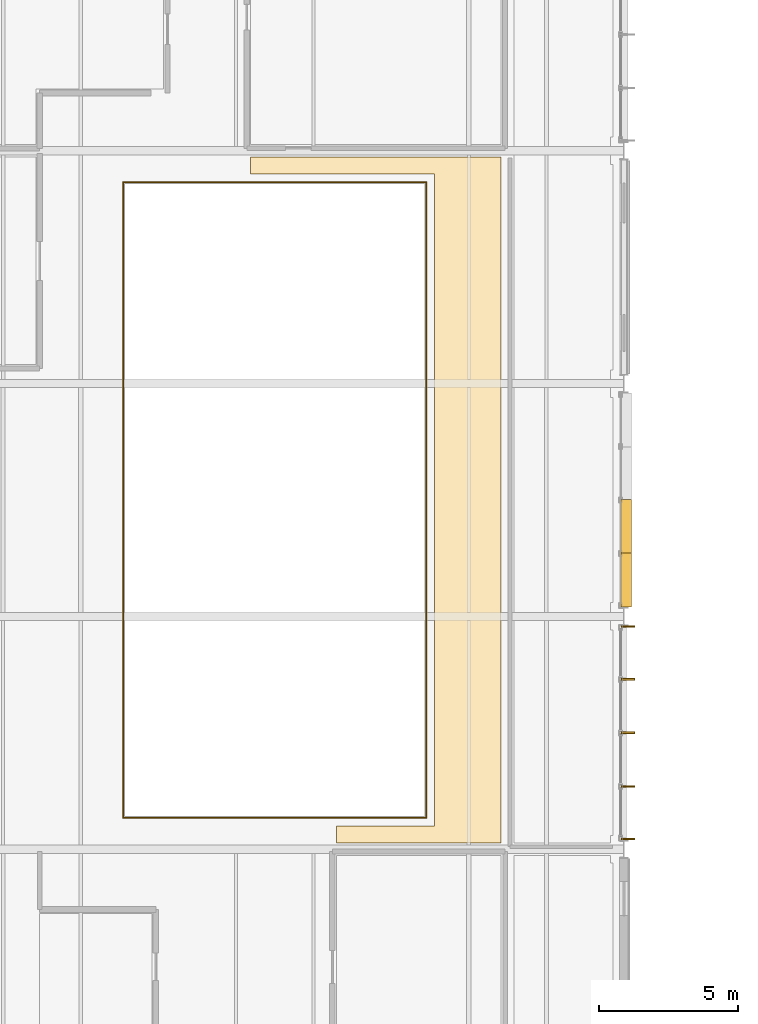
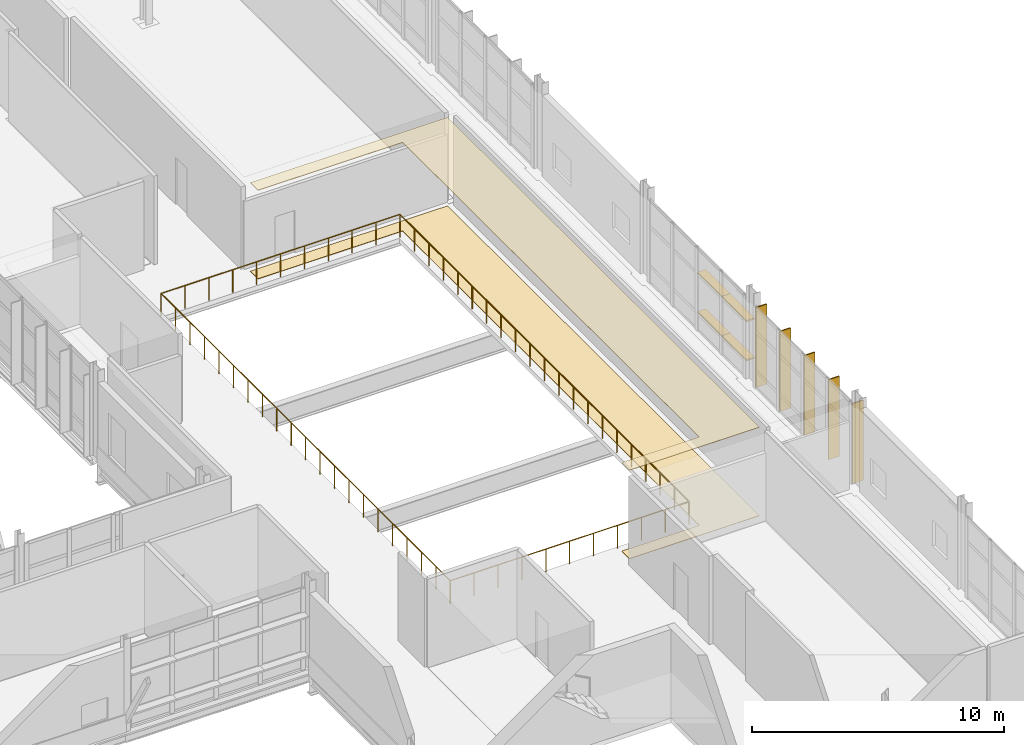
# One storey, part 114 of 129: 9 shading devices, 2 coverings, 1 railing.
"""IFC4 building model written with IfcOpenShell, lengths in metres."""

from ifc_helpers import new_model, si_unit, direction, frame, origin, origin_2d, place, context, subcontext, project, spatial, polyline, rectangle, circle, outline, extrude, material, layer, layer_set, type_object, element, save


model = new_model("IFC4")

# Units and contexts
model_context = context("Model", 3, precision=1e-05, world=origin(), true_north=direction((0.0, 1.0)))
body_context = subcontext(model_context, "Body", "Model", "MODEL_VIEW")
ifc_project = project(units=[si_unit("LENGTHUNIT", "METRE"), si_unit("AREAUNIT", "SQUARE_METRE"), si_unit("VOLUMEUNIT", "CUBIC_METRE"), si_unit("PLANEANGLEUNIT", "RADIAN"), si_unit("MASSUNIT", "GRAM", prefix="KILO")], contexts=[model_context])

# Site, building, storey
site_placement = place(None, origin())
site = spatial("IfcSite", under=ifc_project, at=site_placement, CompositionType="ELEMENT")
building_placement = place(site_placement, origin())
building = spatial("IfcBuilding", under=site, at=building_placement, Name="Mersafa Astral City Hall", CompositionType="ELEMENT")
storey_placement = place(building_placement, frame((0.0, 0.0, 5.39990234375)))
storey = spatial("IfcBuildingStorey", under=building, at=storey_placement, Name="L01", CompositionType="ELEMENT", Elevation=5.39990234375)

# Railing
ifc_material_1 = material(Name="Architectural steel atrium guard balustrade", Category="steel")
railing_type = type_object("IfcRailingType", Name="ENV-RAIL-ATRIUM-1120", PredefinedType="BALUSTRADE", material=ifc_material_1)
railing_placement = place(storey_placement, frame((99.530029296875, 51.530029296875, 0.0)))
element("IfcRailing", 1, at=railing_placement, inside=storey, type_object=railing_type, Name="L01 Multi-storey void guard balustrade VOID-L01-ATRIUM", PredefinedType="BALUSTRADE", context=body_context, shape_type="SweptSolid", body=[
    extrude(circle(Radius=0.02392578125, at=origin_2d()), frame((0.0, 0.0, 1.09619140625), z_axis=(1.0, 0.0, 0.0), x_axis=(0.0, 1.0, 0.0)), (0.0, 0.0, 1.0), 10.93994140625),
    extrude(circle(Radius=0.02392578125, at=origin_2d()), frame((10.93994140625, 0.0, 1.09619140625), z_axis=(0.0, 1.0, 0.0), x_axis=(-1.0, 0.0, 0.0)), (0.0, 0.0, 1.0), 22.93994140625),
    extrude(circle(Radius=0.02392578125, at=origin_2d()), frame((10.93994140625, 22.93994140625, 1.09619140625), z_axis=(-1.0, 0.0, 0.0), x_axis=(0.0, -1.0, 0.0)), (0.0, 0.0, 1.0), 10.93994140625),
    extrude(circle(Radius=0.02392578125, at=origin_2d()), frame((0.0, 22.93994140625, 1.09619140625), z_axis=(0.0, -1.0, 0.0), x_axis=(1.0, 0.0, 0.0)), (0.0, 0.0, 1.0), 22.93994140625),
    extrude(circle(Radius=0.02099609375, at=origin_2d()), origin(), (0.0, 0.0, 1.0), 1.072021484375),
    extrude(circle(Radius=0.02099609375, at=origin_2d()), frame((1.093994140625, 0.0, 0.0)), (0.0, 0.0, 1.0), 1.072021484375),
    extrude(circle(Radius=0.02099609375, at=origin_2d()), frame((2.18798828125, 0.0, 0.0)), (0.0, 0.0, 1.0), 1.072021484375),
    extrude(circle(Radius=0.02099609375, at=origin_2d()), frame((3.281982421875, 0.0, 0.0)), (0.0, 0.0, 1.0), 1.072021484375),
    extrude(circle(Radius=0.02099609375, at=origin_2d()), frame((4.3759765625, 0.0, 0.0)), (0.0, 0.0, 1.0), 1.072021484375),
    extrude(circle(Radius=0.02099609375, at=origin_2d()), frame((5.469970703125, 0.0, 0.0)), (0.0, 0.0, 1.0), 1.072021484375),
    extrude(circle(Radius=0.02099609375, at=origin_2d()), frame((6.56396484375, 0.0, 0.0)), (0.0, 0.0, 1.0), 1.072021484375),
    extrude(circle(Radius=0.02099609375, at=origin_2d()), frame((7.657958984375, 0.0, 0.0)), (0.0, 0.0, 1.0), 1.072021484375),
    extrude(circle(Radius=0.02099609375, at=origin_2d()), frame((8.751953125, 0.0, 0.0)), (0.0, 0.0, 1.0), 1.072021484375),
    extrude(circle(Radius=0.02099609375, at=origin_2d()), frame((9.845947265625, 0.0, 0.0)), (0.0, 0.0, 1.0), 1.072021484375),
    extrude(circle(Radius=0.02099609375, at=origin_2d()), frame((10.93994140625, 0.0, 0.0)), (0.0, 0.0, 1.0), 1.072021484375),
    extrude(circle(Radius=0.02099609375, at=origin_2d()), frame((10.93994140625, 1.14697265625, 0.0)), (0.0, 0.0, 1.0), 1.072021484375),
    extrude(circle(Radius=0.02099609375, at=origin_2d()), frame((10.93994140625, 2.2939453125, 0.0)), (0.0, 0.0, 1.0), 1.072021484375),
    extrude(circle(Radius=0.02099609375, at=origin_2d()), frame((10.93994140625, 3.44091796875, 0.0)), (0.0, 0.0, 1.0), 1.072021484375),
    extrude(circle(Radius=0.02099609375, at=origin_2d()), frame((10.93994140625, 4.587890625, 0.0)), (0.0, 0.0, 1.0), 1.072021484375),
    extrude(circle(Radius=0.02099609375, at=origin_2d()), frame((10.93994140625, 5.73486328125, 0.0)), (0.0, 0.0, 1.0), 1.072021484375),
    extrude(circle(Radius=0.02099609375, at=origin_2d()), frame((10.93994140625, 6.882080078125, 0.0)), (0.0, 0.0, 1.0), 1.072021484375),
    extrude(circle(Radius=0.02099609375, at=origin_2d()), frame((10.93994140625, 8.029052734375, 0.0)), (0.0, 0.0, 1.0), 1.072021484375),
    extrude(circle(Radius=0.02099609375, at=origin_2d()), frame((10.93994140625, 9.176025390625, 0.0)), (0.0, 0.0, 1.0), 1.072021484375),
    extrude(circle(Radius=0.02099609375, at=origin_2d()), frame((10.93994140625, 10.322998046875, 0.0)), (0.0, 0.0, 1.0), 1.072021484375),
    extrude(circle(Radius=0.02099609375, at=origin_2d()), frame((10.93994140625, 11.469970703125, 0.0)), (0.0, 0.0, 1.0), 1.072021484375),
    extrude(circle(Radius=0.02099609375, at=origin_2d()), frame((10.93994140625, 12.616943359375, 0.0)), (0.0, 0.0, 1.0), 1.072021484375),
    extrude(circle(Radius=0.02099609375, at=origin_2d()), frame((10.93994140625, 13.763916015625, 0.0)), (0.0, 0.0, 1.0), 1.072021484375),
    extrude(circle(Radius=0.02099609375, at=origin_2d()), frame((10.93994140625, 14.910888671875, 0.0)), (0.0, 0.0, 1.0), 1.072021484375),
    extrude(circle(Radius=0.02099609375, at=origin_2d()), frame((10.93994140625, 16.057861328125, 0.0)), (0.0, 0.0, 1.0), 1.072021484375),
    extrude(circle(Radius=0.02099609375, at=origin_2d()), frame((10.93994140625, 17.205078125, 0.0)), (0.0, 0.0, 1.0), 1.072021484375),
    extrude(circle(Radius=0.02099609375, at=origin_2d()), frame((10.93994140625, 18.35205078125, 0.0)), (0.0, 0.0, 1.0), 1.072021484375),
    extrude(circle(Radius=0.02099609375, at=origin_2d()), frame((10.93994140625, 19.4990234375, 0.0)), (0.0, 0.0, 1.0), 1.072021484375),
    extrude(circle(Radius=0.02099609375, at=origin_2d()), frame((10.93994140625, 20.64599609375, 0.0)), (0.0, 0.0, 1.0), 1.072021484375),
    extrude(circle(Radius=0.02099609375, at=origin_2d()), frame((10.93994140625, 21.79296875, 0.0)), (0.0, 0.0, 1.0), 1.072021484375),
    extrude(circle(Radius=0.02099609375, at=origin_2d()), frame((10.93994140625, 22.93994140625, 0.0)), (0.0, 0.0, 1.0), 1.072021484375),
    extrude(circle(Radius=0.02099609375, at=origin_2d()), frame((9.845947265625, 22.93994140625, 0.0)), (0.0, 0.0, 1.0), 1.072021484375),
    extrude(circle(Radius=0.02099609375, at=origin_2d()), frame((8.751953125, 22.93994140625, 0.0)), (0.0, 0.0, 1.0), 1.072021484375),
    extrude(circle(Radius=0.02099609375, at=origin_2d()), frame((7.657958984375, 22.93994140625, 0.0)), (0.0, 0.0, 1.0), 1.072021484375),
    extrude(circle(Radius=0.02099609375, at=origin_2d()), frame((6.56396484375, 22.93994140625, 0.0)), (0.0, 0.0, 1.0), 1.072021484375),
    extrude(circle(Radius=0.02099609375, at=origin_2d()), frame((5.469970703125, 22.93994140625, 0.0)), (0.0, 0.0, 1.0), 1.072021484375),
    extrude(circle(Radius=0.02099609375, at=origin_2d()), frame((4.3759765625, 22.93994140625, 0.0)), (0.0, 0.0, 1.0), 1.072021484375),
    extrude(circle(Radius=0.02099609375, at=origin_2d()), frame((3.281982421875, 22.93994140625, 0.0)), (0.0, 0.0, 1.0), 1.072021484375),
    extrude(circle(Radius=0.02099609375, at=origin_2d()), frame((2.18798828125, 22.93994140625, 0.0)), (0.0, 0.0, 1.0), 1.072021484375),
    extrude(circle(Radius=0.02099609375, at=origin_2d()), frame((1.093994140625, 22.93994140625, 0.0)), (0.0, 0.0, 1.0), 1.072021484375),
    extrude(circle(Radius=0.02099609375, at=origin_2d()), frame((0.0, 22.93994140625, 0.0)), (0.0, 0.0, 1.0), 1.072021484375),
    extrude(circle(Radius=0.02099609375, at=origin_2d()), frame((0.0, 21.79296875, 0.0)), (0.0, 0.0, 1.0), 1.072021484375),
    extrude(circle(Radius=0.02099609375, at=origin_2d()), frame((0.0, 20.64599609375, 0.0)), (0.0, 0.0, 1.0), 1.072021484375),
    extrude(circle(Radius=0.02099609375, at=origin_2d()), frame((0.0, 19.4990234375, 0.0)), (0.0, 0.0, 1.0), 1.072021484375),
    extrude(circle(Radius=0.02099609375, at=origin_2d()), frame((0.0, 18.35205078125, 0.0)), (0.0, 0.0, 1.0), 1.072021484375),
    extrude(circle(Radius=0.02099609375, at=origin_2d()), frame((0.0, 17.205078125, 0.0)), (0.0, 0.0, 1.0), 1.072021484375),
    extrude(circle(Radius=0.02099609375, at=origin_2d()), frame((0.0, 16.057861328125, 0.0)), (0.0, 0.0, 1.0), 1.072021484375),
    extrude(circle(Radius=0.02099609375, at=origin_2d()), frame((0.0, 14.910888671875, 0.0)), (0.0, 0.0, 1.0), 1.072021484375),
    extrude(circle(Radius=0.02099609375, at=origin_2d()), frame((0.0, 13.763916015625, 0.0)), (0.0, 0.0, 1.0), 1.072021484375),
    extrude(circle(Radius=0.02099609375, at=origin_2d()), frame((0.0, 12.616943359375, 0.0)), (0.0, 0.0, 1.0), 1.072021484375),
    extrude(circle(Radius=0.02099609375, at=origin_2d()), frame((0.0, 11.469970703125, 0.0)), (0.0, 0.0, 1.0), 1.072021484375),
    extrude(circle(Radius=0.02099609375, at=origin_2d()), frame((0.0, 10.322998046875, 0.0)), (0.0, 0.0, 1.0), 1.072021484375),
    extrude(circle(Radius=0.02099609375, at=origin_2d()), frame((0.0, 9.176025390625, 0.0)), (0.0, 0.0, 1.0), 1.072021484375),
    extrude(circle(Radius=0.02099609375, at=origin_2d()), frame((0.0, 8.029052734375, 0.0)), (0.0, 0.0, 1.0), 1.072021484375),
    extrude(circle(Radius=0.02099609375, at=origin_2d()), frame((0.0, 6.882080078125, 0.0)), (0.0, 0.0, 1.0), 1.072021484375),
    extrude(circle(Radius=0.02099609375, at=origin_2d()), frame((0.0, 5.73486328125, 0.0)), (0.0, 0.0, 1.0), 1.072021484375),
    extrude(circle(Radius=0.02099609375, at=origin_2d()), frame((0.0, 4.587890625, 0.0)), (0.0, 0.0, 1.0), 1.072021484375),
    extrude(circle(Radius=0.02099609375, at=origin_2d()), frame((0.0, 3.44091796875, 0.0)), (0.0, 0.0, 1.0), 1.072021484375),
    extrude(circle(Radius=0.02099609375, at=origin_2d()), frame((0.0, 2.2939453125, 0.0)), (0.0, 0.0, 1.0), 1.072021484375),
    extrude(circle(Radius=0.02099609375, at=origin_2d()), frame((0.0, 1.14697265625, 0.0)), (0.0, 0.0, 1.0), 1.072021484375),
])

# Shading devices
ifc_material_2 = material(Name="Anodised bronze aluminium solar fin", Category="aluminium")
shading_device_type_1 = type_object("IfcShadingDeviceType", Name="ENV-SHD-FIN-500B", PredefinedType="USERDEFINED", material=ifc_material_2)
for number, where, z_axis, x_axis, name in (
    (2, (117.7451171875, 50.76708984375, -0.014892578125), (0.0, 0.0, 1.0), (0.0, 1.0, 0.0), "L01 Vertical bronze solar fin 351"),
    (3, (117.7451171875, 52.66845703125, -0.014892578125), (0.0, 0.0, 1.0), (0.0, 1.0, 0.0), "L01 Vertical bronze solar fin 352"),
    (4, (117.7451171875, 54.60009765625, -0.014892578125), (0.0, 0.0, 1.0), (0.0, 1.0, 0.0), "L01 Vertical bronze solar fin 353"),
    (5, (117.7451171875, 56.531494140625, -0.014892578125), (0.0, 0.0, 1.0), (0.0, 1.0, 0.0), "L01 Vertical bronze solar fin 354"),
    (6, (117.7451171875, 58.43310546875, -0.014892578125), (0.0, 0.0, 1.0), (0.0, 1.0, 0.0), "L01 Vertical bronze solar fin 355"),
):
    element("IfcShadingDevice", number, at=place(storey_placement, frame(where, z_axis=z_axis, x_axis=x_axis)), inside=storey, type_object=shading_device_type_1, Name=name, ObjectType="FIN", PredefinedType="USERDEFINED", context=body_context, shape_type="SweptSolid", body=[
        extrude(rectangle(XDim=0.06005859375, YDim=0.5, at=origin_2d()), origin(), (0.0, 0.0, 1.0), 3.8720703125),
    ])
ifc_material_3 = material(Name="Kiln-dried cedar timber brise-soleil blade", Category="wood")
shading_device_type_2 = type_object("IfcShadingDeviceType", Name="ENV-SHD-LOUVRE-380", PredefinedType="JALOUSIE", material=ifc_material_3)
shading_device_1_placement = place(storey_placement, frame((117.679931640625, 60.117919921875, 0.81494140625), z_axis=(0.0, 0.0, 1.0), x_axis=(0.0, 1.0, 0.0)))
element("IfcShadingDevice", 7, at=shading_device_1_placement, inside=storey, type_object=shading_device_type_2, Name="L01 Horizontal cedar brise-soleil louvre 356", PredefinedType="JALOUSIE", context=body_context, shape_type="SweptSolid", body=[
    extrude(rectangle(XDim=1.94140625, YDim=0.3798828125, at=origin_2d()), origin(), (0.0, 0.0, 1.0), 0.070068359375),
])
shading_device_2_placement = place(storey_placement, frame((117.679931640625, 62.0341796875, 0.81494140625), z_axis=(0.0, 0.0, 1.0), x_axis=(0.0, 1.0, 0.0)))
element("IfcShadingDevice", 8, at=shading_device_2_placement, inside=storey, type_object=shading_device_type_2, Name="L01 Horizontal cedar brise-soleil louvre 357", PredefinedType="JALOUSIE", context=body_context, shape_type="SweptSolid", body=[
    extrude(rectangle(XDim=1.971435546875, YDim=0.3798828125, at=origin_2d()), origin(), (0.0, 0.0, 1.0), 0.070068359375),
])
shading_device_3_placement = place(storey_placement, frame((117.679931640625, 60.117919921875, 2.71484375), z_axis=(0.0, 0.0, 1.0), x_axis=(0.0, 1.0, 0.0)))
element("IfcShadingDevice", 9, at=shading_device_3_placement, inside=storey, type_object=shading_device_type_2, Name="L01 Horizontal cedar brise-soleil louvre 360", PredefinedType="JALOUSIE", context=body_context, shape_type="SweptSolid", body=[
    extrude(rectangle(XDim=1.94140625, YDim=0.3798828125, at=origin_2d()), origin(), (0.0, 0.0, 1.0), 0.070068359375),
])
shading_device_4_placement = place(storey_placement, frame((117.679931640625, 62.0341796875, 2.71484375), z_axis=(0.0, 0.0, 1.0), x_axis=(0.0, 1.0, 0.0)))
element("IfcShadingDevice", 10, at=shading_device_4_placement, inside=storey, type_object=shading_device_type_2, Name="L01 Horizontal cedar brise-soleil louvre 361", PredefinedType="JALOUSIE", context=body_context, shape_type="SweptSolid", body=[
    extrude(rectangle(XDim=1.971435546875, YDim=0.3798828125, at=origin_2d()), origin(), (0.0, 0.0, 1.0), 0.070068359375),
])

# Coverings
ifc_material_4 = material(Name="Perforated acoustic gypsum board ceiling", Category="gypsum")
ifc_layer_1 = layer(ifc_material_4, 0.02490234375, Name="Perforated acoustic gypsum board ceiling")
ifc_layer_set_1 = layer_set([ifc_layer_1], Name="Perforated acoustic gypsum board ceiling — INT-COV-CEIL-25")
covering_type_1 = type_object("IfcCoveringType", Name="INT-COV-CEIL-25", PredefinedType="CEILING", material=ifc_layer_set_1)
covering_1_placement = place(storey_placement, frame((0.0, 0.0, 4.281005859375)))
element("IfcCovering", 11, at=covering_1_placement, inside=storey, type_object=covering_type_1, Name="L01 Standing Committee Room L01-12 acoustic ceiling", PredefinedType="CEILING", context=body_context, shape_type="SweptSolid", body=[
    extrude(outline(polyline([(110.760009765625, 74.760009765625), (104.1298828125, 74.760009765625), (104.1298828125, 75.3701171875), (113.169921875, 75.3701171875), (113.169921875, 50.6298828125), (107.219970703125, 50.6298828125), (107.219970703125, 51.239990234375), (110.760009765625, 51.239990234375), (110.760009765625, 74.760009765625)])), origin(), (0.0, 0.0, 1.0), 0.025146484375),
])
ifc_material_5 = material(Name="Honed Cairo limestone terrazzo flooring", Category="masonry")
ifc_layer_2 = layer(ifc_material_5, 0.02001953125, Name="Honed Cairo limestone terrazzo flooring")
ifc_layer_set_2 = layer_set([ifc_layer_2], Name="Honed Cairo limestone terrazzo flooring — INT-COV-FLR-20")
covering_type_2 = type_object("IfcCoveringType", Name="INT-COV-FLR-20", PredefinedType="FLOORING", material=ifc_layer_set_2)
covering_2_placement = place(storey_placement, frame((0.0, 0.0, -0.00146484375)))
element("IfcCovering", 12, at=covering_2_placement, inside=storey, type_object=covering_type_2, Name="L01 Standing Committee Room L01-12 architectural flooring", PredefinedType="FLOORING", context=body_context, shape_type="SweptSolid", body=[
    extrude(outline(polyline([(110.760009765625, 74.760009765625), (104.1298828125, 74.760009765625), (104.1298828125, 75.3701171875), (113.169921875, 75.3701171875), (113.169921875, 50.6298828125), (107.219970703125, 50.6298828125), (107.219970703125, 51.239990234375), (110.760009765625, 51.239990234375), (110.760009765625, 74.760009765625)])), origin(), (0.0, 0.0, 1.0), 0.02001953125),
])

save(model, "model.ifc")
